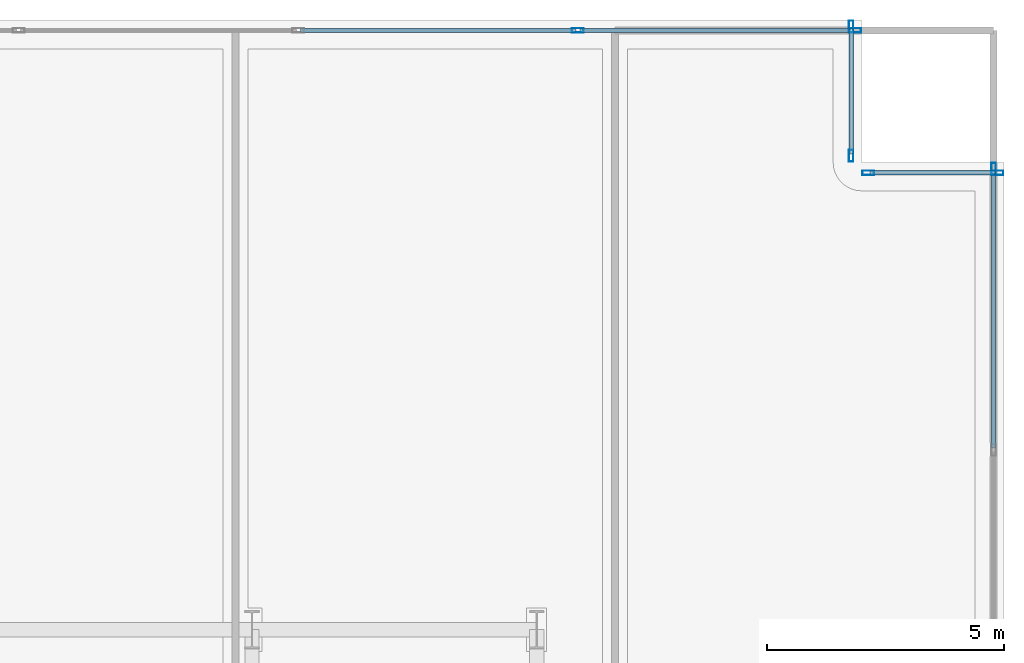
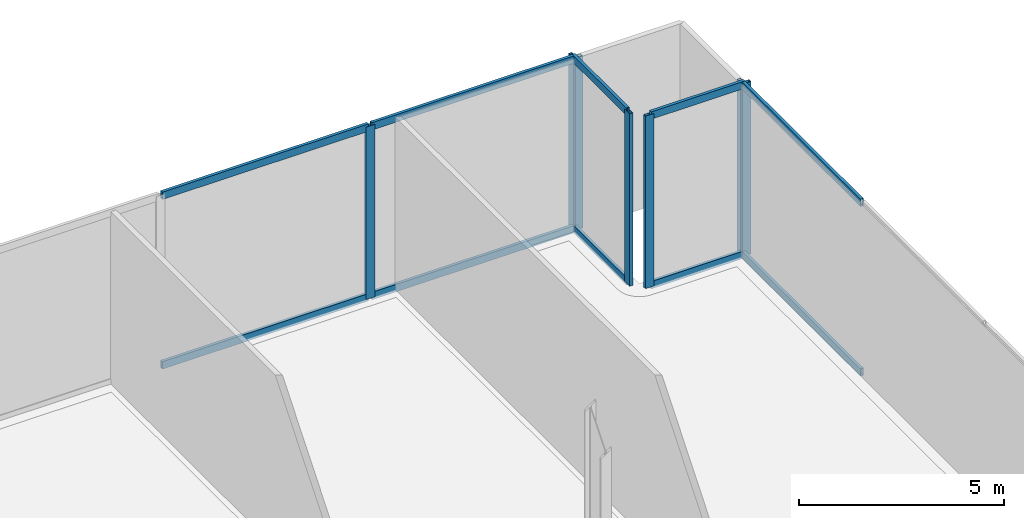
# One storey, part 19 of 27: 17 members, 4 elements without a shape of their own.
"""IFC4 building model written with IfcOpenShell, lengths in metres."""

import ifcopenshell
import ifcopenshell.guid

model = None  # the IFC model being written
_history = None  # IfcOwnerHistory: only IFC2X3 demands one
_inside = {}  # id of a spatial element -> (the spatial element, [elements in it])
_under = {}  # id of a project, library or spatial element -> (it, [spatial elements below it])
_declared = {}  # id of a project -> (the project, [libraries it declares])
_typed = {}  # id of a type object -> (the type object, [elements of that type])
_made_of = {}  # id of a material, layer set ... -> (it, [elements and type objects made of it])


def new_model(schema):
    """Start an empty IFC model of exactly this schema.

    Asked for "IFC4X3", IfcOpenShell would pick the latest addendum, in which some entities
    have other attributes; the version numbers below select the first issue.
    IFC2X3 requires an IfcOwnerHistory on every rooted entity: one is made here for all.
    """
    global model, _history
    if schema == "IFC4X3":
        model = ifcopenshell.file(schema_version=(4, 3, 0, 0))
    else:
        model = ifcopenshell.file(schema=schema)
    _inside.clear()
    _under.clear()
    _declared.clear()
    _typed.clear()
    _made_of.clear()
    _history = None
    if model.schema == "IFC2X3":
        org = make("IfcOrganization", Name="unknown")
        user = make(
            "IfcPersonAndOrganization",
            ThePerson=make("IfcPerson", FamilyName="unknown"),
            TheOrganization=org,
        )
        app = make(
            "IfcApplication",
            ApplicationDeveloper=org,
            Version="unknown",
            ApplicationFullName="unknown",
            ApplicationIdentifier="unknown",
        )
        _history = make(
            "IfcOwnerHistory",
            OwningUser=user,
            OwningApplication=app,
            ChangeAction="ADDED",
            CreationDate=0,
        )
    return model


def make(cls, **values):
    """One entity of the class cls with the attributes given. An attribute that is None is left unset."""
    return model.create_entity(
        cls, **{name: value for name, value in values.items() if value is not None}
    )


def rooted(cls, **values):
    """An entity with a GlobalId (a new one), such as an element, a storey or a relation."""
    return make(cls, GlobalId=ifcopenshell.guid.new(), OwnerHistory=_history, **values)


def si_unit(unit_type, name, prefix=None):
    """IfcSIUnit, for example si_unit("LENGTHUNIT", "METRE", prefix="MILLI")."""
    return make("IfcSIUnit", UnitType=unit_type, Prefix=prefix, Name=name)


def assignment(units):
    """IfcUnitAssignment: the units of a project."""
    return None if units is None else make("IfcUnitAssignment", Units=units)


def point(xyz):
    """IfcCartesianPoint."""
    return None if xyz is None else make("IfcCartesianPoint", Coordinates=xyz)


def direction(xyz):
    """IfcDirection."""
    return None if xyz is None else make("IfcDirection", DirectionRatios=xyz)


def frame(location, z_axis=None, x_axis=None):
    """IfcAxis2Placement3D, a coordinate frame: its origin and axes. An axis left out is left unset."""
    return make(
        "IfcAxis2Placement3D",
        Location=point(location),
        Axis=direction(z_axis),
        RefDirection=direction(x_axis),
    )


def frame_2d(location, x_axis=None):
    """IfcAxis2Placement2D, a coordinate frame in the plane: its origin and x axis."""
    return make(
        "IfcAxis2Placement2D", Location=point(location), RefDirection=direction(x_axis)
    )


def origin():
    """The frame at (0, 0, 0) with its axes left unset."""
    return frame((0.0, 0.0, 0.0))


def origin_2d():
    """The frame at (0, 0) in the plane with its x axis left unset."""
    return frame_2d((0.0, 0.0))


def place(relative_to, where):
    """IfcLocalPlacement: puts the frame where relative to a parent placement (None: the world)."""
    return make(
        "IfcLocalPlacement", PlacementRelTo=relative_to, RelativePlacement=where
    )


def context(
    kind, dimensions, precision=None, world=None, true_north=None, identifier=None
):
    """IfcGeometricRepresentationContext, for example the 3D "Model" context."""
    return make(
        "IfcGeometricRepresentationContext",
        ContextIdentifier=identifier,
        ContextType=kind,
        CoordinateSpaceDimension=dimensions,
        Precision=precision,
        WorldCoordinateSystem=world,
        TrueNorth=true_north,
    )


def subcontext(parent, identifier, kind, view, scale=None):
    """IfcGeometricRepresentationSubContext, for example "Body" below "Model"."""
    return make(
        "IfcGeometricRepresentationSubContext",
        ContextIdentifier=identifier,
        ContextType=kind,
        ParentContext=parent,
        TargetScale=scale,
        TargetView=view,
    )


def project(units=None, contexts=None):
    """IfcProject with its units and contexts."""
    return rooted(
        "IfcProject",
        Name="project",
        RepresentationContexts=contexts,
        UnitsInContext=assignment(units),
    )


def spatial(cls, under=None, at=None, **own):
    """A site, building, storey or space (cls), placed at a placement, below another one or the project."""
    s = rooted(cls, ObjectPlacement=at, **own)
    if under is not None:
        _under.setdefault(under.id(), (under, []))[1].append(s)
    return s


def profile(cls, at=None, kind="AREA", **sizes):
    """A parametric profile (cls). Its sizes go by their IFC names, for example OverallWidth=200.0."""
    return make(cls, ProfileType=kind, Position=at, **sizes)


def hollow_rectangle(**sizes):
    """IfcRectangleHollowProfileDef."""
    return profile("IfcRectangleHollowProfileDef", **sizes)


def extrude(swept, where, along, depth):
    """IfcExtrudedAreaSolid: the profile swept, set in the frame where, extruded along a direction by depth."""
    return make(
        "IfcExtrudedAreaSolid",
        SweptArea=swept,
        Position=where,
        ExtrudedDirection=direction(along),
        Depth=depth,
    )


def shape(context_of_items, identifier, shape_type, items):
    """IfcShapeRepresentation: the items that make up one representation, for example the "Body"."""
    return make(
        "IfcShapeRepresentation",
        ContextOfItems=context_of_items,
        RepresentationIdentifier=identifier,
        RepresentationType=shape_type,
        Items=items,
    )


def material(Name=None, Category=None):
    """IfcMaterial."""
    return make("IfcMaterial", Name=Name, Category=Category)


def layer(
    of_material, thickness, ventilated=None, Name=None, Category=None, Priority=None
):
    """IfcMaterialLayer: one layer of a wall or slab, of a material (None: an air gap)."""
    return make(
        "IfcMaterialLayer",
        Material=of_material,
        LayerThickness=thickness,
        IsVentilated=ventilated,
        Name=Name,
        Category=Category,
        Priority=Priority,
    )


def layer_set(layers, Name=None):
    """IfcMaterialLayerSet."""
    return make("IfcMaterialLayerSet", MaterialLayers=layers, LayerSetName=Name)


def material_profile(
    of_material, cross_section, Name=None, Category=None, Priority=None
):
    """IfcMaterialProfile: a cross section and its material."""
    return make(
        "IfcMaterialProfile",
        Name=Name,
        Material=of_material,
        Profile=cross_section,
        Priority=Priority,
        Category=Category,
    )


def profile_set(profiles, Name=None, composite=None):
    """IfcMaterialProfileSet."""
    return make(
        "IfcMaterialProfileSet",
        Name=Name,
        MaterialProfiles=profiles,
        CompositeProfile=composite,
    )


def made_of(thing, what):
    """Note that an element or type object is made of a material, layer set ...; save() writes the relation."""
    if what is not None:
        _made_of.setdefault(what.id(), (what, []))[1].append(thing)
    return thing


def type_object(cls, material=None, **own):
    """A type object (cls), such as IfcWallType, which elements share."""
    return made_of(rooted(cls, **own), material)


def element(
    cls,
    number,
    at=None,
    inside=None,
    cuts=None,
    type_object=None,
    material=None,
    context=None,
    identifier="Body",
    shape_type=None,
    held_by="IfcProductDefinitionShape",
    body=None,
    shapes=None,
    **own,
):
    """One element of the class cls, such as IfcWall. Its Tag is "e" and its number.

    at: its placement. inside: the storey or other place that contains it. cuts: it is an
    opening in that element (IfcRelVoidsElement). A single representation is given by context,
    identifier, shape_type and body (its items); several are given by shapes. held_by: the class
    of the entity that holds the representations. save() writes the other relations.
    """
    e = rooted(cls, Tag="e%d" % number, ObjectPlacement=at, **own)
    if body is not None:
        shapes = [shape(context, identifier, shape_type, body)]
    if shapes is not None:
        e.Representation = make(held_by, Representations=shapes)
    if inside is not None:
        _inside.setdefault(inside.id(), (inside, []))[1].append(e)
    if cuts is not None:
        rooted(
            "IfcRelVoidsElement", RelatingBuildingElement=cuts, RelatedOpeningElement=e
        )
    if type_object is not None:
        _typed.setdefault(type_object.id(), (type_object, []))[1].append(e)
    return made_of(e, material)


def aggregate(whole, parts):
    """IfcRelAggregates: a whole, such as a stair, and the parts it consists of."""
    return rooted("IfcRelAggregates", RelatingObject=whole, RelatedObjects=parts)


def save(model, path):
    """Write the relations noted so far, then the file.

    IfcRelAggregates (storeys below a building ...), IfcRelContainedInSpatialStructure (elements
    in a storey), IfcRelDefinesByType, IfcRelAssociatesMaterial and IfcRelDeclares: one each for
    every whole, place, type object, material and project.
    """
    for whole, parts in _under.values():
        aggregate(whole, parts)
    for where, things in _inside.values():
        rooted(
            "IfcRelContainedInSpatialStructure",
            RelatedElements=things,
            RelatingStructure=where,
        )
    for kind, things in _typed.values():
        rooted("IfcRelDefinesByType", RelatedObjects=things, RelatingType=kind)
    for what, things in _made_of.values():
        rooted("IfcRelAssociatesMaterial", RelatedObjects=things, RelatingMaterial=what)
    for by, libraries in _declared.values():
        rooted("IfcRelDeclares", RelatingContext=by, RelatedDefinitions=libraries)
    model.write(path)


model = new_model("IFC4")

# Units and contexts
model_context = context("Model", 3, precision=1e-05, world=origin(), true_north=direction((0.0, 1.0)))
body_context = subcontext(model_context, "Body", "Model", "MODEL_VIEW")
ifc_project = project(units=[si_unit("LENGTHUNIT", "METRE"), si_unit("AREAUNIT", "SQUARE_METRE"), si_unit("VOLUMEUNIT", "CUBIC_METRE"), si_unit("PLANEANGLEUNIT", "RADIAN"), si_unit("MASSUNIT", "GRAM", prefix="KILO"), si_unit("THERMODYNAMICTEMPERATUREUNIT", "KELVIN"), si_unit("POWERUNIT", "WATT")], contexts=[model_context])

# Site, building, storey
site_placement = place(None, origin())
site = spatial("IfcSite", under=ifc_project, at=site_placement, CompositionType="ELEMENT")
building_placement = place(site_placement, origin())
building = spatial("IfcBuilding", under=site, at=building_placement, Name="Svarakhadi Broadcast Tower", CompositionType="ELEMENT")
storey_placement = place(building_placement, frame((0.0, 0.0, 16.5)))
storey = spatial("IfcBuildingStorey", under=building, at=storey_placement, Name="L03", CompositionType="ELEMENT", Elevation=16.5)

# Curtain wall, members
ifc_material = material(Name="Anodised Bronze Aluminium AA 6063-T6", Category="aluminium")
ifc_layer = layer(ifc_material, 0.25)
ifc_layer_set = layer_set([ifc_layer], Name="Anodised Bronze Aluminium AA 6063-T6")
curtain_wall_type = type_object("IfcCurtainWallType", Name="CW_Sys_01", PredefinedType="NOTDEFINED", material=ifc_layer_set)
curtain_wall_1_placement = place(storey_placement, origin())
curtain_wall_1 = element("IfcCurtainWall", 1, at=curtain_wall_1_placement, inside=storey, type_object=curtain_wall_type, Name="L03 Unitised Facade Curtain Wall 05 Bay 2", PredefinedType="NOTDEFINED")
ifc_material_profile_1 = material_profile(ifc_material, hollow_rectangle(XDim=0.094970703125, YDim=0.25, WallThickness=0.006103515625, at=origin_2d()), Name="ALU MULLION 250x95x6")
ifc_profile_set_1 = profile_set([ifc_material_profile_1], Name="Anodised Bronze Aluminium AA 6063-T6")
member_type_1 = type_object("IfcMemberType", Name="CW_Sys_01_Mul", PredefinedType="MULLION", material=ifc_profile_set_1)
member_1_placement = place(storey_placement, frame((54.017578125, 47.780029296875, 0.0), z_axis=(0.0, 0.0, 1.0), x_axis=(0.0, 1.0, 0.0)))
member_1 = element("IfcMember", 2, at=member_1_placement, type_object=member_type_1, Name="CW-01 mullion 8", PredefinedType="MULLION", context=body_context, shape_type="SweptSolid", body=[
    extrude(hollow_rectangle(XDim=0.094970703125, YDim=0.25, WallThickness=0.006103515625, at=origin_2d()), origin(), (0.0, 0.0, 1.0), 5.125),
])
member_2_placement = place(storey_placement, frame((59.862548828125, 47.780029296875, 0.0), z_axis=(0.0, 0.0, 1.0), x_axis=(0.0, 1.0, 0.0)))
member_2 = element("IfcMember", 3, at=member_2_placement, type_object=member_type_1, Name="CW-01 mullion 9", PredefinedType="MULLION", context=body_context, shape_type="SweptSolid", body=[
    extrude(hollow_rectangle(XDim=0.094970703125, YDim=0.25, WallThickness=0.006103515625, at=origin_2d()), origin(), (0.0, 0.0, 1.0), 5.125),
])

curtain_wall_2_placement = place(storey_placement, origin())
curtain_wall_2 = element("IfcCurtainWall", 4, at=curtain_wall_2_placement, inside=storey, type_object=curtain_wall_type, Name="L03 Unitised Facade Curtain Wall 06", PredefinedType="NOTDEFINED")
member_3_placement = place(storey_placement, frame((59.780029296875, 47.862548828125, 0.0), z_axis=(0.0, 0.0, 1.0), x_axis=(1.0, 0.0, 0.0)))
member_3 = element("IfcMember", 5, at=member_3_placement, type_object=member_type_1, Name="CW-01 mullion 1", PredefinedType="MULLION", context=body_context, shape_type="SweptSolid", body=[
    extrude(hollow_rectangle(XDim=0.094970703125, YDim=0.25, WallThickness=0.006103515625, at=origin_2d()), origin(), (0.0, 0.0, 1.0), 5.125),
])
member_4_placement = place(storey_placement, frame((59.780029296875, 45.137451171875, 0.0), z_axis=(0.0, 0.0, 1.0), x_axis=(1.0, 0.0, 0.0)))
member_4 = element("IfcMember", 6, at=member_4_placement, type_object=member_type_1, Name="CW-01 mullion 2", PredefinedType="MULLION", context=body_context, shape_type="SweptSolid", body=[
    extrude(hollow_rectangle(XDim=0.094970703125, YDim=0.25, WallThickness=0.006103515625, at=origin_2d()), origin(), (0.0, 0.0, 1.0), 5.125),
])

curtain_wall_3_placement = place(storey_placement, origin())
curtain_wall_3 = element("IfcCurtainWall", 7, at=curtain_wall_3_placement, inside=storey, type_object=curtain_wall_type, Name="L03 Unitised Facade Curtain Wall 07", PredefinedType="NOTDEFINED")
member_5_placement = place(storey_placement, frame((60.137451171875, 44.780029296875, 0.0), z_axis=(0.0, 0.0, 1.0), x_axis=(0.0, 1.0, 0.0)))
member_5 = element("IfcMember", 8, at=member_5_placement, type_object=member_type_1, Name="CW-01 mullion 1", PredefinedType="MULLION", context=body_context, shape_type="SweptSolid", body=[
    extrude(hollow_rectangle(XDim=0.094970703125, YDim=0.25, WallThickness=0.006103515625, at=origin_2d()), origin(), (0.0, 0.0, 1.0), 5.125),
])
member_6_placement = place(storey_placement, frame((62.862548828125, 44.780029296875, 0.0), z_axis=(0.0, 0.0, 1.0), x_axis=(0.0, 1.0, 0.0)))
member_6 = element("IfcMember", 9, at=member_6_placement, type_object=member_type_1, Name="CW-01 mullion 2", PredefinedType="MULLION", context=body_context, shape_type="SweptSolid", body=[
    extrude(hollow_rectangle(XDim=0.094970703125, YDim=0.25, WallThickness=0.006103515625, at=origin_2d()), origin(), (0.0, 0.0, 1.0), 5.125),
])

# Curtain wall, member
curtain_wall_4_placement = place(storey_placement, origin())
curtain_wall_4 = element("IfcCurtainWall", 10, at=curtain_wall_4_placement, inside=storey, type_object=curtain_wall_type, Name="L03 Unitised Facade Curtain Wall 08", PredefinedType="NOTDEFINED")
member_7_placement = place(storey_placement, frame((62.780029296875, 44.862548828125, 0.0), z_axis=(0.0, 0.0, 1.0), x_axis=(1.0, 0.0, 0.0)))
member_7 = element("IfcMember", 11, at=member_7_placement, type_object=member_type_1, Name="CW-01 mullion 1", PredefinedType="MULLION", context=body_context, shape_type="SweptSolid", body=[
    extrude(hollow_rectangle(XDim=0.094970703125, YDim=0.25, WallThickness=0.006103515625, at=origin_2d()), origin(), (0.0, 0.0, 1.0), 5.125),
])

# Member
ifc_material_profile_2 = material_profile(ifc_material, hollow_rectangle(XDim=0.0849609375, YDim=0.219970703125, WallThickness=0.0048828125, at=origin_2d()), Name="ALU TRANSOM 220x85x5")
ifc_profile_set_2 = profile_set([ifc_material_profile_2], Name="Anodised Bronze Aluminium AA 6063-T6")
member_type_2 = type_object("IfcMemberType", Name="CW_Sys_01_Trn", PredefinedType="USERDEFINED", material=ifc_profile_set_2)
member_8_placement = place(storey_placement, frame((48.172607421875, 47.780029296875, 0.04248046875), z_axis=(1.0, 0.0, 0.0), x_axis=(0.0, 1.0, 0.0)))
member_8 = element("IfcMember", 12, at=member_8_placement, type_object=member_type_2, Name="CW-01 transom 7.1", ObjectType="TRANSOM", PredefinedType="USERDEFINED", context=body_context, shape_type="SweptSolid", body=[
    extrude(hollow_rectangle(XDim=0.0849609375, YDim=0.219970703125, WallThickness=0.0048828125, at=origin_2d()), origin(), (0.0, 0.0, 1.0), 5.79736328125),
])

member_9_placement = place(storey_placement, frame((48.172607421875, 47.780029296875, 5.08251953125), z_axis=(1.0, 0.0, 0.0), x_axis=(0.0, 1.0, 0.0)))
member_9 = element("IfcMember", 13, at=member_9_placement, type_object=member_type_2, Name="CW-01 transom 7.2", ObjectType="TRANSOM", PredefinedType="USERDEFINED", context=body_context, shape_type="SweptSolid", body=[
    extrude(hollow_rectangle(XDim=0.0849609375, YDim=0.219970703125, WallThickness=0.0048828125, at=origin_2d()), origin(), (0.0, 0.0, 1.0), 5.79736328125),
])

member_10_placement = place(storey_placement, frame((54.06494140625, 47.780029296875, 0.04248046875), z_axis=(1.0, 0.0, 0.0), x_axis=(0.0, 1.0, 0.0)))
member_10 = element("IfcMember", 14, at=member_10_placement, type_object=member_type_2, Name="CW-01 transom 8.1", ObjectType="TRANSOM", PredefinedType="USERDEFINED", context=body_context, shape_type="SweptSolid", body=[
    extrude(hollow_rectangle(XDim=0.0849609375, YDim=0.219970703125, WallThickness=0.0048828125, at=origin_2d()), origin(), (0.0, 0.0, 1.0), 5.75),
])

member_11_placement = place(storey_placement, frame((54.06494140625, 47.780029296875, 5.08251953125), z_axis=(1.0, 0.0, 0.0), x_axis=(0.0, 1.0, 0.0)))
member_11 = element("IfcMember", 15, at=member_11_placement, type_object=member_type_2, Name="CW-01 transom 8.2", ObjectType="TRANSOM", PredefinedType="USERDEFINED", context=body_context, shape_type="SweptSolid", body=[
    extrude(hollow_rectangle(XDim=0.0849609375, YDim=0.219970703125, WallThickness=0.0048828125, at=origin_2d()), origin(), (0.0, 0.0, 1.0), 5.75),
])

aggregate(curtain_wall_1, [member_1, member_2, member_8, member_9, member_10, member_11])

member_12_placement = place(storey_placement, frame((59.780029296875, 47.81494140625, 0.04248046875), z_axis=(0.0, -1.0, 0.0), x_axis=(1.0, 0.0, 0.0)))
member_12 = element("IfcMember", 16, at=member_12_placement, type_object=member_type_2, Name="CW-01 transom 1.1", ObjectType="TRANSOM", PredefinedType="USERDEFINED", context=body_context, shape_type="SweptSolid", body=[
    extrude(hollow_rectangle(XDim=0.0849609375, YDim=0.219970703125, WallThickness=0.0048828125, at=origin_2d()), origin(), (0.0, 0.0, 1.0), 2.6298828125),
])

member_13_placement = place(storey_placement, frame((59.780029296875, 47.81494140625, 5.08251953125), z_axis=(0.0, -1.0, 0.0), x_axis=(1.0, 0.0, 0.0)))
member_13 = element("IfcMember", 17, at=member_13_placement, type_object=member_type_2, Name="CW-01 transom 1.2", ObjectType="TRANSOM", PredefinedType="USERDEFINED", context=body_context, shape_type="SweptSolid", body=[
    extrude(hollow_rectangle(XDim=0.0849609375, YDim=0.219970703125, WallThickness=0.0048828125, at=origin_2d()), origin(), (0.0, 0.0, 1.0), 2.6298828125),
])

aggregate(curtain_wall_2, [member_3, member_4, member_12, member_13])

member_14_placement = place(storey_placement, frame((60.18505859375, 44.780029296875, 0.04248046875), z_axis=(1.0, 0.0, 0.0), x_axis=(0.0, 1.0, 0.0)))
member_14 = element("IfcMember", 18, at=member_14_placement, type_object=member_type_2, Name="CW-01 transom 1.1", ObjectType="TRANSOM", PredefinedType="USERDEFINED", context=body_context, shape_type="SweptSolid", body=[
    extrude(hollow_rectangle(XDim=0.0849609375, YDim=0.219970703125, WallThickness=0.0048828125, at=origin_2d()), origin(), (0.0, 0.0, 1.0), 2.6298828125),
])

member_15_placement = place(storey_placement, frame((60.18505859375, 44.780029296875, 5.08251953125), z_axis=(1.0, 0.0, 0.0), x_axis=(0.0, 1.0, 0.0)))
member_15 = element("IfcMember", 19, at=member_15_placement, type_object=member_type_2, Name="CW-01 transom 1.2", ObjectType="TRANSOM", PredefinedType="USERDEFINED", context=body_context, shape_type="SweptSolid", body=[
    extrude(hollow_rectangle(XDim=0.0849609375, YDim=0.219970703125, WallThickness=0.0048828125, at=origin_2d()), origin(), (0.0, 0.0, 1.0), 2.6298828125),
])

aggregate(curtain_wall_3, [member_5, member_6, member_14, member_15])

member_16_placement = place(storey_placement, frame((62.780029296875, 44.81494140625, 0.04248046875), z_axis=(0.0, -1.0, 0.0), x_axis=(1.0, 0.0, 0.0)))
member_16 = element("IfcMember", 20, at=member_16_placement, type_object=member_type_2, Name="CW-01 transom 1.1", ObjectType="TRANSOM", PredefinedType="USERDEFINED", context=body_context, shape_type="SweptSolid", body=[
    extrude(hollow_rectangle(XDim=0.0849609375, YDim=0.219970703125, WallThickness=0.0048828125, at=origin_2d()), origin(), (0.0, 0.0, 1.0), 5.831787109375),
])

member_17_placement = place(storey_placement, frame((62.780029296875, 44.81494140625, 5.08251953125), z_axis=(0.0, -1.0, 0.0), x_axis=(1.0, 0.0, 0.0)))
member_17 = element("IfcMember", 21, at=member_17_placement, type_object=member_type_2, Name="CW-01 transom 1.2", ObjectType="TRANSOM", PredefinedType="USERDEFINED", context=body_context, shape_type="SweptSolid", body=[
    extrude(hollow_rectangle(XDim=0.0849609375, YDim=0.219970703125, WallThickness=0.0048828125, at=origin_2d()), origin(), (0.0, 0.0, 1.0), 5.831787109375),
])

aggregate(curtain_wall_4, [member_7, member_16, member_17])

save(model, "model.ifc")
